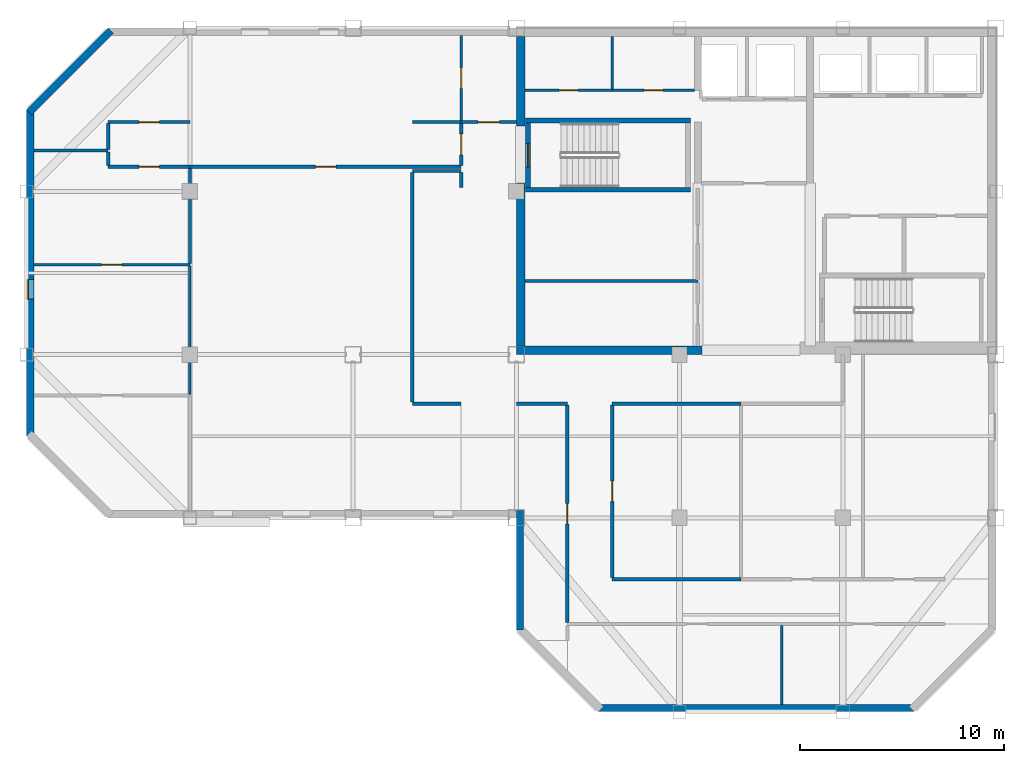
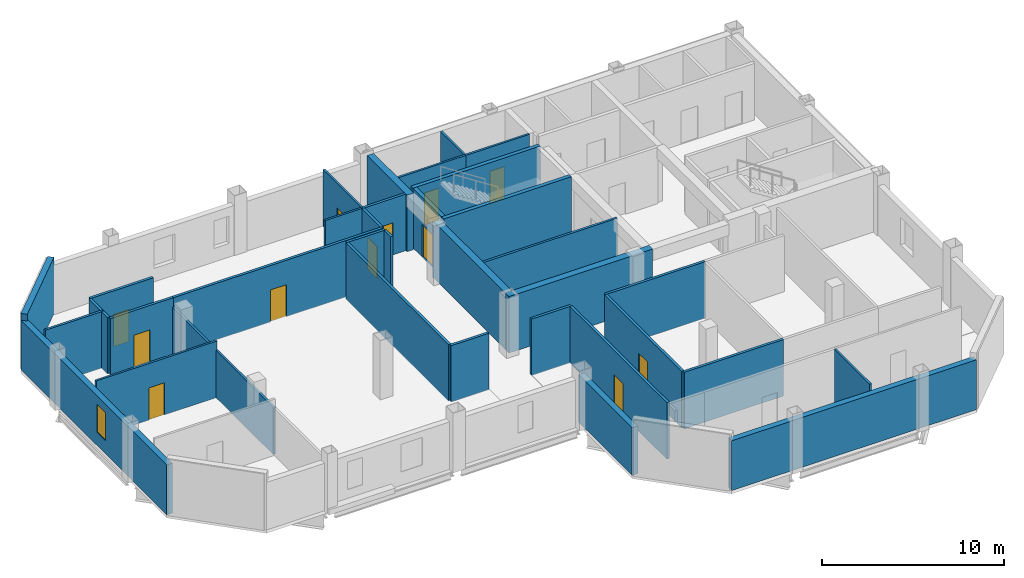
# One storey, part 2 of 7: 37 walls, 12 doors, 1 window, 13 openings.
"""IFC4 building model written with IfcOpenShell, lengths in metres."""

from ifc_helpers import new_model, si_unit, direction, frame, frame_2d, origin, place, context, subcontext, project, spatial, rectangle, extrude, material, layer, layer_set, type_object, element, fill, save


model = new_model("IFC4")

# Units and contexts
model_context = context("Model", 3, precision=1e-05, world=origin(), true_north=direction((0.0, 1.0)))
body_context = subcontext(model_context, "Body", "Model", "MODEL_VIEW")
ifc_project = project(units=[si_unit("LENGTHUNIT", "METRE"), si_unit("AREAUNIT", "SQUARE_METRE"), si_unit("VOLUMEUNIT", "CUBIC_METRE"), si_unit("PLANEANGLEUNIT", "RADIAN"), si_unit("MASSUNIT", "GRAM", prefix="KILO")], contexts=[model_context])

# Site, building, storey
site_placement = place(None, origin())
site = spatial("IfcSite", under=ifc_project, at=site_placement, CompositionType="ELEMENT")
building_placement = place(site_placement, origin())
building = spatial("IfcBuilding", under=site, at=building_placement, Name="Qianrong Seaharbour Tower", CompositionType="ELEMENT")
storey_placement = place(building_placement, frame((0.0, 0.0, 331.199951171875)))
storey = spatial("IfcBuildingStorey", under=building, at=storey_placement, Name="L80", CompositionType="ELEMENT", Elevation=331.199951171875)

# Walls
ifc_material_1 = material(Name="Concrete C50/60", Category="concrete")
ifc_layer_1 = layer(ifc_material_1, 0.419921875)
ifc_layer_set_1 = layer_set([ifc_layer_1], Name="Concrete C50/60")
wall_type_1 = type_object("IfcWallType", Name="WALL-CORE-420", PredefinedType="SHEAR", material=ifc_layer_set_1)
wall_1_placement = place(storey_placement, frame((40.7099609375, 36.419921875, 0.0), z_axis=(0.0, 0.0, 1.0), x_axis=(0.0, 1.0, 0.0)))
element("IfcWall", 1, at=wall_1_placement, inside=storey, type_object=wall_type_1, Name="L80 West Core Shear Wall South", PredefinedType="SHEAR", context=body_context, shape_type="SweptSolid", body=[
    extrude(rectangle(XDim=7.97998046875, YDim=0.419921875, at=frame_2d((3.989990234375, 0.0))), origin(), (0.0, 0.0, 1.0), 3.78515625),
])
wall_2_placement = place(storey_placement, frame((40.7099609375, 47.199951171875, 0.0), z_axis=(0.0, 0.0, 1.0), x_axis=(0.0, 1.0, 0.0)))
element("IfcWall", 2, at=wall_2_placement, inside=storey, type_object=wall_type_1, Name="L80 West Core Shear Wall North", PredefinedType="SHEAR", context=body_context, shape_type="SweptSolid", body=[
    extrude(rectangle(XDim=4.380126953125, YDim=0.419921875, at=frame_2d((2.18994140625, 0.0))), origin(), (0.0, 0.0, 1.0), 3.78515625),
])
wall_3_placement = place(storey_placement, frame((40.5, 36.2099609375, 0.0), z_axis=(0.0, 0.0, 1.0), x_axis=(1.0, 0.0, 0.0)))
element("IfcWall", 3, at=wall_3_placement, inside=storey, type_object=wall_type_1, Name="L80 South Core Shear Wall S1", PredefinedType="SHEAR", context=body_context, shape_type="SweptSolid", body=[
    extrude(rectangle(XDim=9.10009765625, YDim=0.419921875, at=frame_2d((4.550048828125, 0.0))), origin(), (0.0, 0.0, 1.0), 3.78515625),
])

# Wall, opening, door
ifc_material_2 = material(Name="Fire-rated acoustic gypsum board partition")
ifc_layer_2 = layer(ifc_material_2, 0.1650390625)
ifc_layer_set_2 = layer_set([ifc_layer_2], Name="Fire-rated acoustic gypsum board partition")
wall_type_2 = type_object("IfcWallType", Name="WALL-CORR-PART-165", PredefinedType="PARTITIONING", material=ifc_layer_set_2)
wall_4_placement = place(storey_placement, frame((37.800048828125, 47.39990234375, 0.0), z_axis=(0.0, 0.0, 1.0), x_axis=(1.0, 0.0, 0.0)))
wall_4 = element("IfcWall", 4, at=wall_4_placement, inside=storey, type_object=wall_type_2, Name="L80 Interior Partition Wall 001", PredefinedType="PARTITIONING", context=body_context, shape_type="SweptSolid", body=[
    extrude(rectangle(XDim=2.699951171875, YDim=0.1650390625, at=frame_2d((1.35009765625, 0.0))), origin(), (0.0, 0.0, 1.0), 3.78515625),
])
opening_1_placement = place(wall_4_placement, frame((0.824951171875, 0.0, 0.0)))
opening_1 = element("IfcOpeningElement", 5, at=opening_1_placement, cuts=wall_4, Name="Opening DC-01", PredefinedType="OPENING", context=body_context, shape_type="SweptSolid", body=[
    extrude(rectangle(XDim=1.050048828125, YDim=2.14990234375, at=frame_2d((0.52490234375, 1.074951171875))), frame((0.0, 0.092529296875, 0.0), z_axis=(0.0, -1.0, 0.0), x_axis=(1.0, 0.0, 0.0)), (0.0, 0.0, 1.0), 0.18505859375),
])
ifc_material_3 = material(Name="Acoustic timber and galvanized steel fire door assembly", Category="steel")
door_type_1 = type_object("IfcDoorType", Name="DOOR-CORR-FD60-1050x2150", OperationType="NOTDEFINED", PredefinedType="DOOR", material=ifc_material_3)
door_1_placement = place(opening_1_placement, origin())
door_1 = element("IfcDoor", 6, at=door_1_placement, inside=storey, type_object=door_type_1, Name="L80 Smokeproof Stair Vestibule ST-1 Door", OperationType="SINGLE_SWING_LEFT", OverallHeight=2.14990234375, OverallWidth=1.050048828125, PredefinedType="DOOR", context=body_context, shape_type="SweptSolid", body=[
    extrude(rectangle(XDim=1.050048828125, YDim=2.14990234375, at=frame_2d((0.52490234375, 1.074951171875))), frame((0.0, 0.02490234375, 0.0), z_axis=(0.0, -1.0, 0.0), x_axis=(1.0, 0.0, 0.0)), (0.0, 0.0, 1.0), 0.050048828125),
])
fill(opening_1, door_1)

wall_5_placement = place(storey_placement, frame((37.800048828125, 45.2744140625, 0.0), z_axis=(0.0, 0.0, 1.0), x_axis=(0.0, 1.0, 0.0)))
wall_5 = element("IfcWall", 7, at=wall_5_placement, inside=storey, type_object=wall_type_2, Name="L80 Interior Partition Wall 002", PredefinedType="PARTITIONING", context=body_context, shape_type="SweptSolid", body=[
    extrude(rectangle(XDim=2.051025390625, YDim=0.1650390625, at=frame_2d((1.025390625, 0.0))), origin(), (0.0, 0.0, 1.0), 3.78515625),
])
opening_2_placement = place(wall_5_placement, frame((0.50048828125, 0.0, 0.0)))
opening_2 = element("IfcOpeningElement", 8, at=opening_2_placement, cuts=wall_5, Name="Opening DC-01", PredefinedType="OPENING", context=body_context, shape_type="SweptSolid", body=[
    extrude(rectangle(XDim=1.050048828125, YDim=2.14990234375, at=frame_2d((0.52490234375, 1.074951171875))), frame((0.0, 0.092529296875, 0.0), z_axis=(0.0, -1.0, 0.0), x_axis=(1.0, 0.0, 0.0)), (0.0, 0.0, 1.0), 0.18505859375),
])
door_2_placement = place(opening_2_placement, origin())
door_2 = element("IfcDoor", 9, at=door_2_placement, inside=storey, type_object=door_type_1, Name="L80 Smokeproof Stair Vestibule ST-1 Door", OperationType="SINGLE_SWING_RIGHT", OverallHeight=2.14990234375, OverallWidth=1.050048828125, PredefinedType="DOOR", context=body_context, shape_type="SweptSolid", body=[
    extrude(rectangle(XDim=1.050048828125, YDim=2.14990234375, at=frame_2d((0.52490234375, 1.074951171875))), frame((0.0, 0.02490234375, 0.0), z_axis=(0.0, -1.0, 0.0), x_axis=(1.0, 0.0, 0.0)), (0.0, 0.0, 1.0), 0.050048828125),
])
fill(opening_2, door_2)

# Wall
wall_6_placement = place(storey_placement, frame((37.800048828125, 44.199951171875, 0.0), z_axis=(0.0, 0.0, 1.0), x_axis=(0.0, 1.0, 0.0)))
element("IfcWall", 10, at=wall_6_placement, inside=storey, type_object=wall_type_2, Name="L80 Interior Partition Wall 003", PredefinedType="PARTITIONING", context=body_context, shape_type="SweptSolid", body=[
    extrude(rectangle(XDim=0.7255859375, YDim=0.1650390625, at=frame_2d((0.36279296875, 0.0))), origin(), (0.0, 0.0, 1.0), 3.78515625),
])

# Wall, opening, door
wall_7_placement = place(storey_placement, frame((37.800048828125, 45.199951171875, 0.0), z_axis=(0.0, 0.0, 1.0), x_axis=(-1.0, 0.0, 0.0)))
wall_7 = element("IfcWall", 11, at=wall_7_placement, inside=storey, type_object=wall_type_2, Name="L80 Interior Partition Wall 017", PredefinedType="PARTITIONING", context=body_context, shape_type="SweptSolid", body=[
    extrude(rectangle(XDim=13.300048828125, YDim=0.1650390625, at=frame_2d((6.64990234375, 0.0))), origin(), (0.0, 0.0, 1.0), 3.78515625),
])
opening_3_placement = place(wall_7_placement, frame((6.14990234375, 0.0, 0.0)))
opening_3 = element("IfcOpeningElement", 12, at=opening_3_placement, cuts=wall_7, Name="Opening DO-01", PredefinedType="OPENING", context=body_context, shape_type="SweptSolid", body=[
    extrude(rectangle(XDim=1.0, YDim=2.14990234375, at=frame_2d((0.5, 1.074951171875))), frame((0.0, 0.092529296875, 0.0), z_axis=(0.0, -1.0, 0.0), x_axis=(1.0, 0.0, 0.0)), (0.0, 0.0, 1.0), 0.18505859375),
])
door_type_2 = type_object("IfcDoorType", Name="DOOR-OFFICE-1000x2150", OperationType="NOTDEFINED", PredefinedType="DOOR", material=ifc_material_3)
door_3_placement = place(opening_3_placement, origin())
door_3 = element("IfcDoor", 13, at=door_3_placement, inside=storey, type_object=door_type_2, Name="L80 Central Spine Open-Plan Office Door", OperationType="SINGLE_SWING_RIGHT", OverallHeight=2.14990234375, OverallWidth=1.0, PredefinedType="DOOR", context=body_context, shape_type="SweptSolid", body=[
    extrude(rectangle(XDim=1.0, YDim=2.14990234375, at=frame_2d((0.5, 1.074951171875))), frame((0.0, 0.02490234375, 0.0), z_axis=(0.0, -1.0, 0.0), x_axis=(1.0, 0.0, 0.0)), (0.0, 0.0, 1.0), 0.050048828125),
])
fill(opening_3, door_3)

wall_8_placement = place(storey_placement, frame((24.5, 45.199951171875, 0.0), z_axis=(0.0, 0.0, 1.0), x_axis=(-1.0, 0.0, 0.0)))
wall_8 = element("IfcWall", 14, at=wall_8_placement, inside=storey, type_object=wall_type_2, Name="L80 Interior Partition Wall 018", PredefinedType="PARTITIONING", context=body_context, shape_type="SweptSolid", body=[
    extrude(rectangle(XDim=4.0, YDim=0.1650390625, at=frame_2d((2.0, 0.0))), origin(), (0.0, 0.0, 1.0), 3.78515625),
])
opening_4_placement = place(wall_8_placement, frame((1.5, 0.0, 0.0)))
opening_4 = element("IfcOpeningElement", 15, at=opening_4_placement, cuts=wall_8, Name="Opening DO-01", PredefinedType="OPENING", context=body_context, shape_type="SweptSolid", body=[
    extrude(rectangle(XDim=1.0, YDim=2.14990234375, at=frame_2d((0.5, 1.074951171875))), frame((0.0, 0.092529296875, 0.0), z_axis=(0.0, -1.0, 0.0), x_axis=(1.0, 0.0, 0.0)), (0.0, 0.0, 1.0), 0.18505859375),
])
door_4_placement = place(opening_4_placement, origin())
door_4 = element("IfcDoor", 16, at=door_4_placement, inside=storey, type_object=door_type_2, Name="L80 Hospitality Dining Room 3 Door", OperationType="SINGLE_SWING_LEFT", OverallHeight=2.14990234375, OverallWidth=1.0, PredefinedType="DOOR", context=body_context, shape_type="SweptSolid", body=[
    extrude(rectangle(XDim=1.0, YDim=2.14990234375, at=frame_2d((0.5, 1.074951171875))), frame((0.0, 0.02490234375, 0.0), z_axis=(0.0, -1.0, 0.0), x_axis=(1.0, 0.0, 0.0)), (0.0, 0.0, 1.0), 0.050048828125),
])
fill(opening_4, door_4)

# Walls
wall_9_placement = place(storey_placement, frame((20.5, 45.2744140625, 0.0), z_axis=(0.0, 0.0, 1.0), x_axis=(0.0, 1.0, 0.0)))
element("IfcWall", 17, at=wall_9_placement, inside=storey, type_object=wall_type_2, Name="L80 Interior Partition Wall 019", PredefinedType="PARTITIONING", context=body_context, shape_type="SweptSolid", body=[
    extrude(rectangle(XDim=0.6611328125, YDim=0.1650390625, at=frame_2d((0.33056640625, 0.0))), origin(), (0.0, 0.0, 1.0), 3.78515625),
])
wall_10_placement = place(storey_placement, frame((20.5, 46.064453125, 0.0), z_axis=(0.0, 0.0, 1.0), x_axis=(0.0, 1.0, 0.0)))
element("IfcWall", 18, at=wall_10_placement, inside=storey, type_object=wall_type_2, Name="L80 Interior Partition Wall 020", PredefinedType="PARTITIONING", context=body_context, shape_type="SweptSolid", body=[
    extrude(rectangle(XDim=1.260986328125, YDim=0.1650390625, at=frame_2d((0.63037109375, 0.0))), origin(), (0.0, 0.0, 1.0), 3.78515625),
])

# Wall, opening, door
wall_11_placement = place(storey_placement, frame((20.5, 47.39990234375, 0.0), z_axis=(0.0, 0.0, 1.0), x_axis=(1.0, 0.0, 0.0)))
wall_11 = element("IfcWall", 19, at=wall_11_placement, inside=storey, type_object=wall_type_2, Name="L80 Interior Partition Wall 021", PredefinedType="PARTITIONING", context=body_context, shape_type="SweptSolid", body=[
    extrude(rectangle(XDim=4.0, YDim=0.1650390625, at=frame_2d((2.0, 0.0))), origin(), (0.0, 0.0, 1.0), 3.78515625),
])
opening_5_placement = place(wall_11_placement, frame((1.5, 0.0, 0.0)))
opening_5 = element("IfcOpeningElement", 20, at=opening_5_placement, cuts=wall_11, Name="Opening DO-01", PredefinedType="OPENING", context=body_context, shape_type="SweptSolid", body=[
    extrude(rectangle(XDim=1.0, YDim=2.14990234375, at=frame_2d((0.5, 1.074951171875))), frame((0.0, 0.092529296875, 0.0), z_axis=(0.0, -1.0, 0.0), x_axis=(1.0, 0.0, 0.0)), (0.0, 0.0, 1.0), 0.18505859375),
])
door_5_placement = place(opening_5_placement, origin())
door_5 = element("IfcDoor", 21, at=door_5_placement, inside=storey, type_object=door_type_2, Name="L80 Quiet Sitting Lounge 4 Door", OperationType="SINGLE_SWING_RIGHT", OverallHeight=2.14990234375, OverallWidth=1.0, PredefinedType="DOOR", context=body_context, shape_type="SweptSolid", body=[
    extrude(rectangle(XDim=1.0, YDim=2.14990234375, at=frame_2d((0.5, 1.074951171875))), frame((0.0, 0.02490234375, 0.0), z_axis=(0.0, -1.0, 0.0), x_axis=(1.0, 0.0, 0.0)), (0.0, 0.0, 1.0), 0.050048828125),
])
fill(opening_5, door_5)

# Walls
wall_12_placement = place(storey_placement, frame((37.800048828125, 33.60009765625, 0.0), z_axis=(0.0, 0.0, 1.0), x_axis=(-1.0, 0.0, 0.0)))
element("IfcWall", 22, at=wall_12_placement, inside=storey, type_object=wall_type_2, Name="L80 Interior Partition Wall 022", PredefinedType="PARTITIONING", context=body_context, shape_type="SweptSolid", body=[
    extrude(rectangle(XDim=2.400146484375, YDim=0.1650390625, at=frame_2d((1.2001953125, 0.0))), origin(), (0.0, 0.0, 1.0), 3.78515625),
])
wall_13_placement = place(storey_placement, frame((35.39990234375, 33.674560546875, 0.0), z_axis=(0.0, 0.0, 1.0), x_axis=(0.0, 1.0, 0.0)))
element("IfcWall", 23, at=wall_13_placement, inside=storey, type_object=wall_type_2, Name="L80 Interior Partition Wall 023", PredefinedType="PARTITIONING", context=body_context, shape_type="SweptSolid", body=[
    extrude(rectangle(XDim=11.2509765625, YDim=0.1650390625, at=frame_2d((5.62548828125, 0.0))), origin(), (0.0, 0.0, 1.0), 3.78515625),
])
wall_14_placement = place(storey_placement, frame((35.39990234375, 45.0, 0.0), z_axis=(0.0, 0.0, 1.0), x_axis=(1.0, 0.0, 0.0)))
element("IfcWall", 24, at=wall_14_placement, inside=storey, type_object=wall_type_2, Name="L80 Interior Partition Wall 024", PredefinedType="PARTITIONING", context=body_context, shape_type="SweptSolid", body=[
    extrude(rectangle(XDim=2.400146484375, YDim=0.1650390625, at=frame_2d((1.2001953125, 0.0))), origin(), (0.0, 0.0, 1.0), 3.78515625),
])
wall_15_placement = place(storey_placement, frame((51.5, 33.60009765625, 0.0), z_axis=(0.0, 0.0, 1.0), x_axis=(-1.0, 0.0, 0.0)))
element("IfcWall", 25, at=wall_15_placement, inside=storey, type_object=wall_type_2, Name="L80 Interior Partition Wall 025", PredefinedType="PARTITIONING", context=body_context, shape_type="SweptSolid", body=[
    extrude(rectangle(XDim=6.300048828125, YDim=0.1650390625, at=frame_2d((3.14990234375, 0.0))), origin(), (0.0, 0.0, 1.0), 3.78515625),
])
wall_16_placement = place(storey_placement, frame((43.0, 33.60009765625, 0.0), z_axis=(0.0, 0.0, 1.0), x_axis=(-1.0, 0.0, 0.0)))
element("IfcWall", 26, at=wall_16_placement, inside=storey, type_object=wall_type_2, Name="L80 Interior Partition Wall 028", PredefinedType="PARTITIONING", context=body_context, shape_type="SweptSolid", body=[
    extrude(rectangle(XDim=2.5, YDim=0.1650390625, at=frame_2d((1.25, 0.0))), origin(), (0.0, 0.0, 1.0), 3.78515625),
])

# Wall, opening, door
wall_17_placement = place(storey_placement, frame((45.199951171875, 33.525390625, 0.0), z_axis=(0.0, 0.0, 1.0), x_axis=(0.0, -1.0, 0.0)))
wall_17 = element("IfcWall", 27, at=wall_17_placement, inside=storey, type_object=wall_type_2, Name="L80 Interior Partition Wall 029", PredefinedType="PARTITIONING", context=body_context, shape_type="SweptSolid", body=[
    extrude(rectangle(XDim=8.450927734375, YDim=0.1650390625, at=frame_2d((4.2255859375, 0.0))), origin(), (0.0, 0.0, 1.0), 3.78515625),
])
opening_6_placement = place(wall_17_placement, frame((3.7255859375, 0.0, 0.0)))
opening_6 = element("IfcOpeningElement", 28, at=opening_6_placement, cuts=wall_17, Name="Opening DO-01", PredefinedType="OPENING", context=body_context, shape_type="SweptSolid", body=[
    extrude(rectangle(XDim=1.0, YDim=2.14990234375, at=frame_2d((0.5, 1.074951171875))), frame((0.0, 0.092529296875, 0.0), z_axis=(0.0, -1.0, 0.0), x_axis=(1.0, 0.0, 0.0)), (0.0, 0.0, 1.0), 0.18505859375),
])
door_6_placement = place(opening_6_placement, origin())
door_6 = element("IfcDoor", 29, at=door_6_placement, inside=storey, type_object=door_type_2, Name="L80 East Harbour Dining Salon 1 Door", OperationType="SINGLE_SWING_LEFT", OverallHeight=2.14990234375, OverallWidth=1.0, PredefinedType="DOOR", context=body_context, shape_type="SweptSolid", body=[
    extrude(rectangle(XDim=1.0, YDim=2.14990234375, at=frame_2d((0.5, 1.074951171875))), frame((0.0, 0.02490234375, 0.0), z_axis=(0.0, -1.0, 0.0), x_axis=(1.0, 0.0, 0.0)), (0.0, 0.0, 1.0), 0.050048828125),
])
fill(opening_6, door_6)

wall_18_placement = place(storey_placement, frame((43.0, 22.87451171875, 0.0), z_axis=(0.0, 0.0, 1.0), x_axis=(0.0, 1.0, 0.0)))
wall_18 = element("IfcWall", 30, at=wall_18_placement, inside=storey, type_object=wall_type_2, Name="L80 Interior Partition Wall 030", PredefinedType="PARTITIONING", context=body_context, shape_type="SweptSolid", body=[
    extrude(rectangle(XDim=10.65087890625, YDim=0.1650390625, at=frame_2d((5.325439453125, 0.0))), origin(), (0.0, 0.0, 1.0), 3.78515625),
])
opening_7_placement = place(wall_18_placement, frame((4.825439453125, 0.0, 0.0)))
opening_7 = element("IfcOpeningElement", 31, at=opening_7_placement, cuts=wall_18, Name="Opening DO-01", PredefinedType="OPENING", context=body_context, shape_type="SweptSolid", body=[
    extrude(rectangle(XDim=1.0, YDim=2.14990234375, at=frame_2d((0.5, 1.074951171875))), frame((0.0, 0.092529296875, 0.0), z_axis=(0.0, -1.0, 0.0), x_axis=(1.0, 0.0, 0.0)), (0.0, 0.0, 1.0), 0.18505859375),
])
door_7_placement = place(opening_7_placement, origin())
door_7 = element("IfcDoor", 32, at=door_7_placement, inside=storey, type_object=door_type_2, Name="L80 Concierge Office 2 Door", OperationType="SINGLE_SWING_RIGHT", OverallHeight=2.14990234375, OverallWidth=1.0, PredefinedType="DOOR", context=body_context, shape_type="SweptSolid", body=[
    extrude(rectangle(XDim=1.0, YDim=2.14990234375, at=frame_2d((0.5, 1.074951171875))), frame((0.0, 0.02490234375, 0.0), z_axis=(0.0, -1.0, 0.0), x_axis=(1.0, 0.0, 0.0)), (0.0, 0.0, 1.0), 0.050048828125),
])
fill(opening_7, door_7)

# Walls
wall_19_placement = place(storey_placement, frame((45.199951171875, 25.0, 0.0), z_axis=(0.0, 0.0, 1.0), x_axis=(1.0, 0.0, 0.0)))
element("IfcWall", 33, at=wall_19_placement, inside=storey, type_object=wall_type_2, Name="L80 Interior Partition Wall 032", PredefinedType="PARTITIONING", context=body_context, shape_type="SweptSolid", body=[
    extrude(rectangle(XDim=6.300048828125, YDim=0.1650390625, at=frame_2d((3.14990234375, 0.0))), origin(), (0.0, 0.0, 1.0), 3.78515625),
])
ifc_material_4 = material(Name="Unitised red brick on Precast concrete C45/55", Category="masonry")
ifc_layer_3 = layer(ifc_material_4, 0.360107421875)
ifc_layer_set_3 = layer_set([ifc_layer_3], Name="Unitised red brick on Precast concrete C45/55")
wall_type_3 = type_object("IfcWallType", Name="WALL-EXT-BRICK-RED-360", PredefinedType="SOLIDWALL", material=ifc_layer_set_3)
wall_20_placement = place(storey_placement, frame((40.679931640625, 22.5, 0.0), z_axis=(0.0, 0.0, 1.0), x_axis=(0.0, 1.0, 0.0)))
element("IfcWall", 34, at=wall_20_placement, inside=storey, type_object=wall_type_3, Name="L80 Exterior Masonry Facade Wall REENTRANT_WEST", PredefinedType="SOLIDWALL", context=body_context, shape_type="SweptSolid", body=[
    extrude(rectangle(XDim=5.860107421875, YDim=0.360107421875, at=frame_2d((2.93017578125, 0.0))), origin(), (0.0, 0.0, 1.0), 3.18505859375),
])

# Wall, opening, window
wall_21_placement = place(storey_placement, frame((16.679931640625, 32.0, 0.0), z_axis=(0.0, 0.0, 1.0), x_axis=(0.0, 1.0, 0.0)))
wall_21 = element("IfcWall", 35, at=wall_21_placement, inside=storey, type_object=wall_type_3, Name="L80 Exterior Masonry Facade Wall WEST_TIP", PredefinedType="SOLIDWALL", context=body_context, shape_type="SweptSolid", body=[
    extrude(rectangle(XDim=16.0, YDim=0.360107421875, at=frame_2d((8.0, 0.0))), origin(), (0.0, 0.0, 1.0), 3.3349609375),
])
opening_8_placement = place(wall_21_placement, frame((6.72509765625, 0.0, 0.89990234375)))
opening_8 = element("IfcOpeningElement", 36, at=opening_8_placement, cuts=wall_21, Name="Opening WN-13", PredefinedType="OPENING", context=body_context, shape_type="SweptSolid", body=[
    extrude(rectangle(XDim=0.949951171875, YDim=1.85009765625, at=frame_2d((0.47509765625, 0.925048828125))), frame((0.0, 0.18994140625, 0.0), z_axis=(0.0, -1.0, 0.0), x_axis=(1.0, 0.0, 0.0)), (0.0, 0.0, 1.0), 0.380126953125),
])
ifc_material_5 = material(Name="Insulated low-e double glazing in thermally broken aluminium 6063-T6 frame", Category="aluminium")
window_type = type_object("IfcWindowType", Name="WIN-NARROW-950x1850", PartitioningType="SINGLE_PANEL", PredefinedType="WINDOW", material=ifc_material_5)
window_placement = place(opening_8_placement, origin())
window = element("IfcWindow", 37, at=window_placement, inside=storey, type_object=window_type, Name="L80 Deep-Set Punched Window 03.02", OverallHeight=1.85009765625, OverallWidth=0.949951171875, PartitioningType="SINGLE_PANEL", PredefinedType="WINDOW", context=body_context, shape_type="SweptSolid", body=[
    extrude(rectangle(XDim=0.949951171875, YDim=1.85009765625, at=frame_2d((0.47509765625, 0.925048828125))), frame((0.0, 0.150146484375, 0.0), z_axis=(0.0, -1.0, 0.0), x_axis=(1.0, 0.0, 0.0)), (0.0, 0.0, 1.0), 0.06005859375),
])
fill(opening_8, window)

# Walls
wall_22_placement = place(storey_placement, frame((16.627197265625, 47.872802734375, 0.0), z_axis=(0.0, 0.0, 1.0), x_axis=(0.707106781187, 0.707106781187, 0.0)))
element("IfcWall", 38, at=wall_22_placement, inside=storey, type_object=wall_type_3, Name="L80 Exterior Masonry Facade Wall E04", PredefinedType="SOLIDWALL", context=body_context, shape_type="SweptSolid", body=[
    extrude(rectangle(XDim=5.65673828125, YDim=0.360107421875, at=frame_2d((2.828369140625, 0.0))), origin(), (0.0, 0.0, 1.0), 3.78515625),
])
wall_23_placement = place(storey_placement, frame((60.0, 18.679931640625, 0.0), z_axis=(0.0, 0.0, 1.0), x_axis=(-1.0, 0.0, 0.0)))
element("IfcWall", 39, at=wall_23_placement, inside=storey, type_object=wall_type_3, Name="L80 Exterior Masonry Facade Wall SOUTH_TIP", PredefinedType="SOLIDWALL", context=body_context, shape_type="SweptSolid", body=[
    extrude(rectangle(XDim=15.5, YDim=0.360107421875, at=frame_2d((7.75, 0.0))), origin(), (0.0, 0.0, 1.0), 3.3349609375),
])
ifc_material_6 = material(Name="Acoustic gypsum board stud partition")
ifc_layer_4 = layer(ifc_material_6, 0.14501953125)
ifc_layer_set_4 = layer_set([ifc_layer_4], Name="Acoustic gypsum board stud partition")
wall_type_4 = type_object("IfcWallType", Name="WALL-OFFICE-PART-145", PredefinedType="PARTITIONING", material=ifc_layer_set_4)
wall_24_placement = place(storey_placement, frame((40.919921875, 39.60009765625, 0.0), z_axis=(0.0, 0.0, 1.0), x_axis=(1.0, 0.0, 0.0)))
element("IfcWall", 40, at=wall_24_placement, inside=storey, type_object=wall_type_4, Name="L80 Interior Partition Wall 012", PredefinedType="PARTITIONING", context=body_context, shape_type="SweptSolid", body=[
    extrude(rectangle(XDim=8.47998046875, YDim=0.14501953125, at=frame_2d((4.239990234375, 0.0))), origin(), (0.0, 0.0, 1.0), 3.78515625),
])
wall_25_placement = place(storey_placement, frame((24.5, 40.45703125, 0.0), z_axis=(0.0, 0.0, 1.0), x_axis=(0.0, 1.0, 0.0)))
element("IfcWall", 41, at=wall_25_placement, inside=storey, type_object=wall_type_4, Name="L80 Interior Partition Wall 039", PredefinedType="PARTITIONING", context=body_context, shape_type="SweptSolid", body=[
    extrude(rectangle(XDim=4.66845703125, YDim=0.14501953125, at=frame_2d((2.334228515625, 0.0))), origin(), (0.0, 0.0, 1.0), 3.177001953125),
])
wall_26_placement = place(storey_placement, frame((16.85205078125, 46.0, 0.0), z_axis=(0.0, 0.0, 1.0), x_axis=(1.0, 0.0, 0.0)))
element("IfcWall", 42, at=wall_26_placement, inside=storey, type_object=wall_type_4, Name="L80 Interior Partition Wall 042", PredefinedType="PARTITIONING", context=body_context, shape_type="SweptSolid", body=[
    extrude(rectangle(XDim=3.64794921875, YDim=0.14501953125, at=frame_2d((1.823974609375, 0.0))), origin(), (0.0, 0.0, 1.0), 3.78515625),
])
ifc_layer_5 = layer(ifc_material_1, 0.239990234375)
ifc_layer_set_5 = layer_set([ifc_layer_5], Name="Concrete C50/60")
wall_type_5 = type_object("IfcWallType", Name="WALL-SHAFT-RC240", PredefinedType="SOLIDWALL", material=ifc_layer_set_5)
for number, where, z_axis, x_axis, name in (
    (43, (40.9599609375, 47.469970703125, 0.0), (0.0, 0.0, 1.0), (1.0, 0.0, 0.0), "L80 ST-1 Structural Stair Core Wall N"),
    (44, (49.0400390625, 44.080078125, 0.0), (0.0, 0.0, 1.0), (-1.0, 0.0, 0.0), "L80 ST-1 Structural Stair Core Wall S"),
):
    element("IfcWall", number, at=place(storey_placement, frame(where, z_axis=z_axis, x_axis=x_axis)), inside=storey, type_object=wall_type_5, Name=name, PredefinedType="SOLIDWALL", context=body_context, shape_type="SweptSolid", body=[
        extrude(rectangle(XDim=8.080078125, YDim=0.239990234375, at=frame_2d((4.0400390625, 0.0))), origin(), (0.0, 0.0, 1.0), 4.0),
    ])

# Wall, opening, door
wall_27_placement = place(storey_placement, frame((41.080078125, 47.35009765625, 0.0), z_axis=(0.0, 0.0, 1.0), x_axis=(0.0, -1.0, 0.0)))
wall_27 = element("IfcWall", 45, at=wall_27_placement, inside=storey, type_object=wall_type_5, Name="L80 ST-1 Structural Stair Core Wall W", PredefinedType="SOLIDWALL", context=body_context, shape_type="SweptSolid", body=[
    extrude(rectangle(XDim=3.150146484375, YDim=0.239990234375, at=frame_2d((1.5751953125, 0.0))), origin(), (0.0, 0.0, 1.0), 4.0),
])
opening_9_placement = place(wall_27_placement, frame((1.0, 0.0, 0.0)))
opening_9 = element("IfcOpeningElement", 46, at=opening_9_placement, cuts=wall_27, Name="Opening SD-01", PredefinedType="OPENING", context=body_context, shape_type="SweptSolid", body=[
    extrude(rectangle(XDim=1.14990234375, YDim=2.199951171875, at=frame_2d((0.574951171875, 1.10009765625))), frame((0.0, 0.1298828125, 0.0), z_axis=(0.0, -1.0, 0.0), x_axis=(1.0, 0.0, 0.0)), (0.0, 0.0, 1.0), 0.260009765625),
])
door_type_3 = type_object("IfcDoorType", Name="DOOR-STAIR-FD60-1150x2200", OperationType="NOTDEFINED", PredefinedType="DOOR", material=ifc_material_3)
door_8_placement = place(opening_9_placement, origin())
door_8 = element("IfcDoor", 47, at=door_8_placement, inside=storey, type_object=door_type_3, Name="L80 ST-1 Protected Stair Door", OperationType="SINGLE_SWING_LEFT", OverallHeight=2.199951171875, OverallWidth=1.14990234375, PredefinedType="DOOR", context=body_context, shape_type="SweptSolid", body=[
    extrude(rectangle(XDim=1.14990234375, YDim=2.199951171875, at=frame_2d((0.574951171875, 1.10009765625))), frame((0.0, 0.02490234375, 0.0), z_axis=(0.0, -1.0, 0.0), x_axis=(1.0, 0.0, 0.0)), (0.0, 0.0, 1.0), 0.050048828125),
])
fill(opening_9, door_8)

ifc_material_7 = material(Name="Water-resistant cement board sanitary partition")
ifc_layer_6 = layer(ifc_material_7, 0.1298828125)
ifc_layer_set_6 = layer_set([ifc_layer_6], Name="Water-resistant cement board sanitary partition")
wall_type_6 = type_object("IfcWallType", Name="WALL-WET-PART-130", PredefinedType="PARTITIONING", material=ifc_layer_set_6)
wall_28_placement = place(storey_placement, frame((37.800048828125, 47.474609375, 0.0), z_axis=(0.0, 0.0, 1.0), x_axis=(0.0, 1.0, 0.0)))
wall_28 = element("IfcWall", 48, at=wall_28_placement, inside=storey, type_object=wall_type_6, Name="L80 Interior Partition Wall 004", PredefinedType="PARTITIONING", context=body_context, shape_type="SweptSolid", body=[
    extrude(rectangle(XDim=4.17333984375, YDim=0.1298828125, at=frame_2d((2.086669921875, 0.0))), origin(), (0.0, 0.0, 1.0), 3.78515625),
])
opening_10_placement = place(wall_28_placement, frame((1.57666015625, 0.0, 0.0)))
opening_10 = element("IfcOpeningElement", 49, at=opening_10_placement, cuts=wall_28, Name="Opening DAW-01", PredefinedType="OPENING", context=body_context, shape_type="SweptSolid", body=[
    extrude(rectangle(XDim=1.02001953125, YDim=2.14990234375, at=frame_2d((0.510009765625, 1.074951171875))), frame((0.0, 0.074951171875, 0.0), z_axis=(0.0, -1.0, 0.0), x_axis=(1.0, 0.0, 0.0)), (0.0, 0.0, 1.0), 0.14990234375),
])
door_type_4 = type_object("IfcDoorType", Name="DOOR-AWC-SLIDE-1020x2150", OperationType="SLIDING_TO_LEFT", PredefinedType="DOOR", material=ifc_material_3)
door_9_placement = place(opening_10_placement, origin())
door_9 = element("IfcDoor", 50, at=door_9_placement, inside=storey, type_object=door_type_4, Name="L80 Accessible Restroom WC Door", OperationType="SLIDING_TO_LEFT", OverallHeight=2.14990234375, OverallWidth=1.02001953125, PredefinedType="DOOR", context=body_context, shape_type="SweptSolid", body=[
    extrude(rectangle(XDim=1.02001953125, YDim=2.14990234375, at=frame_2d((0.510009765625, 1.074951171875))), frame((0.0, 0.02490234375, 0.0), z_axis=(0.0, -1.0, 0.0), x_axis=(1.0, 0.0, 0.0)), (0.0, 0.0, 1.0), 0.050048828125),
])
fill(opening_10, door_9)

# Wall
wall_29_placement = place(storey_placement, frame((37.800048828125, 47.39990234375, 0.0), z_axis=(0.0, 0.0, 1.0), x_axis=(-1.0, 0.0, 0.0)))
element("IfcWall", 51, at=wall_29_placement, inside=storey, type_object=wall_type_6, Name="L80 Interior Partition Wall 005", PredefinedType="PARTITIONING", context=body_context, shape_type="SweptSolid", body=[
    extrude(rectangle(XDim=2.400146484375, YDim=0.1298828125, at=frame_2d((1.2001953125, 0.0))), origin(), (0.0, 0.0, 1.0), 3.78515625),
])

# Wall, opening, door
wall_30_placement = place(storey_placement, frame((40.919921875, 48.949951171875, 0.0), z_axis=(0.0, 0.0, 1.0), x_axis=(1.0, 0.0, 0.0)))
wall_30 = element("IfcWall", 52, at=wall_30_placement, inside=storey, type_object=wall_type_6, Name="L80 Interior Partition Wall 006", PredefinedType="PARTITIONING", context=body_context, shape_type="SweptSolid", body=[
    extrude(rectangle(XDim=4.280029296875, YDim=0.1298828125, at=frame_2d((2.14013671875, 0.0))), origin(), (0.0, 0.0, 1.0), 3.78515625),
])
opening_11_placement = place(wall_30_placement, frame((1.679931640625, 0.0, 0.0)))
opening_11 = element("IfcOpeningElement", 53, at=opening_11_placement, cuts=wall_30, Name="Opening DW-01", PredefinedType="OPENING", context=body_context, shape_type="SweptSolid", body=[
    extrude(rectangle(XDim=0.919921875, YDim=2.14990234375, at=frame_2d((0.4599609375, 1.074951171875))), frame((0.0, 0.074951171875, 0.0), z_axis=(0.0, -1.0, 0.0), x_axis=(1.0, 0.0, 0.0)), (0.0, 0.0, 1.0), 0.14990234375),
])
door_type_5 = type_object("IfcDoorType", Name="DOOR-WC-920x2150", OperationType="NOTDEFINED", PredefinedType="DOOR", material=ifc_material_3)
door_10_placement = place(opening_11_placement, origin())
door_10 = element("IfcDoor", 54, at=door_10_placement, inside=storey, type_object=door_type_5, Name="L80 Male Restroom WC Door", OperationType="SINGLE_SWING_LEFT", OverallHeight=2.14990234375, OverallWidth=0.919921875, PredefinedType="DOOR", context=body_context, shape_type="SweptSolid", body=[
    extrude(rectangle(XDim=0.919921875, YDim=2.14990234375, at=frame_2d((0.4599609375, 1.074951171875))), frame((0.0, 0.02490234375, 0.0), z_axis=(0.0, -1.0, 0.0), x_axis=(1.0, 0.0, 0.0)), (0.0, 0.0, 1.0), 0.050048828125),
])
fill(opening_11, door_10)

wall_31_placement = place(storey_placement, frame((45.199951171875, 48.949951171875, 0.0), z_axis=(0.0, 0.0, 1.0), x_axis=(1.0, 0.0, 0.0)))
wall_31 = element("IfcWall", 55, at=wall_31_placement, inside=storey, type_object=wall_type_6, Name="L80 Interior Partition Wall 007", PredefinedType="PARTITIONING", context=body_context, shape_type="SweptSolid", body=[
    extrude(rectangle(XDim=4.032958984375, YDim=0.1298828125, at=frame_2d((2.0166015625, 0.0))), origin(), (0.0, 0.0, 1.0), 3.78515625),
])
opening_12_placement = place(wall_31_placement, frame((1.556396484375, 0.0, 0.0)))
opening_12 = element("IfcOpeningElement", 56, at=opening_12_placement, cuts=wall_31, Name="Opening DW-01", PredefinedType="OPENING", context=body_context, shape_type="SweptSolid", body=[
    extrude(rectangle(XDim=0.919921875, YDim=2.14990234375, at=frame_2d((0.4599609375, 1.074951171875))), frame((0.0, 0.074951171875, 0.0), z_axis=(0.0, -1.0, 0.0), x_axis=(1.0, 0.0, 0.0)), (0.0, 0.0, 1.0), 0.14990234375),
])
door_11_placement = place(opening_12_placement, origin())
door_11 = element("IfcDoor", 57, at=door_11_placement, inside=storey, type_object=door_type_5, Name="L80 Female Restroom WC Door", OperationType="SINGLE_SWING_RIGHT", OverallHeight=2.14990234375, OverallWidth=0.919921875, PredefinedType="DOOR", context=body_context, shape_type="SweptSolid", body=[
    extrude(rectangle(XDim=0.919921875, YDim=2.14990234375, at=frame_2d((0.4599609375, 1.074951171875))), frame((0.0, 0.02490234375, 0.0), z_axis=(0.0, -1.0, 0.0), x_axis=(1.0, 0.0, 0.0)), (0.0, 0.0, 1.0), 0.050048828125),
])
fill(opening_12, door_11)

# Walls
wall_32_placement = place(storey_placement, frame((45.199951171875, 51.580078125, 0.0), z_axis=(0.0, 0.0, 1.0), x_axis=(0.0, -1.0, 0.0)))
element("IfcWall", 58, at=wall_32_placement, inside=storey, type_object=wall_type_6, Name="L80 Interior Partition Wall 015", PredefinedType="PARTITIONING", context=body_context, shape_type="SweptSolid", body=[
    extrude(rectangle(XDim=2.572998046875, YDim=0.1298828125, at=frame_2d((1.28662109375, 0.0))), origin(), (0.0, 0.0, 1.0), 3.78515625),
])
wall_33_placement = place(storey_placement, frame((24.5, 34.056884765625, 0.0), z_axis=(0.0, 0.0, 1.0), x_axis=(0.0, 1.0, 0.0)))
element("IfcWall", 59, at=wall_33_placement, inside=storey, type_object=wall_type_6, Name="L80 Interior Partition Wall 038", PredefinedType="PARTITIONING", context=body_context, shape_type="SweptSolid", body=[
    extrude(rectangle(XDim=6.2861328125, YDim=0.1298828125, at=frame_2d((3.14306640625, 0.0))), origin(), (0.0, 0.0, 1.0), 3.177001953125),
])

# Wall, opening, door
wall_34_placement = place(storey_placement, frame((16.85205078125, 40.39990234375, 0.0), z_axis=(0.0, 0.0, 1.0), x_axis=(1.0, 0.0, 0.0)))
wall_34 = element("IfcWall", 60, at=wall_34_placement, inside=storey, type_object=wall_type_6, Name="L80 Interior Partition Wall 041", PredefinedType="PARTITIONING", context=body_context, shape_type="SweptSolid", body=[
    extrude(rectangle(XDim=7.64794921875, YDim=0.1298828125, at=frame_2d((3.823974609375, 0.0))), origin(), (0.0, 0.0, 1.0), 3.78515625),
])
opening_13_placement = place(wall_34_placement, frame((3.323974609375, 0.0, 0.0)))
opening_13 = element("IfcOpeningElement", 61, at=opening_13_placement, cuts=wall_34, Name="Opening DO-01", PredefinedType="OPENING", context=body_context, shape_type="SweptSolid", body=[
    extrude(rectangle(XDim=1.0, YDim=2.14990234375, at=frame_2d((0.5, 1.074951171875))), frame((0.0, 0.074951171875, 0.0), z_axis=(0.0, -1.0, 0.0), x_axis=(1.0, 0.0, 0.0)), (0.0, 0.0, 1.0), 0.14990234375),
])
door_12_placement = place(opening_13_placement, origin())
door_12 = element("IfcDoor", 62, at=door_12_placement, inside=storey, type_object=door_type_2, Name="L80 Barista Coffee Pantry 2 Door", OperationType="SINGLE_SWING_RIGHT", OverallHeight=2.14990234375, OverallWidth=1.0, PredefinedType="DOOR", context=body_context, shape_type="SweptSolid", body=[
    extrude(rectangle(XDim=1.0, YDim=2.14990234375, at=frame_2d((0.5, 1.074951171875))), frame((0.0, 0.02490234375, 0.0), z_axis=(0.0, -1.0, 0.0), x_axis=(1.0, 0.0, 0.0)), (0.0, 0.0, 1.0), 0.050048828125),
])
fill(opening_13, door_12)

# Wall
wall_35_placement = place(storey_placement, frame((53.5, 22.7255859375, 0.0), z_axis=(0.0, 0.0, 1.0), x_axis=(0.0, -1.0, 0.0)))
element("IfcWall", 63, at=wall_35_placement, inside=storey, type_object=wall_type_6, Name="L80 Interior Partition Wall 046", PredefinedType="PARTITIONING", context=body_context, shape_type="SweptSolid", body=[
    extrude(rectangle(XDim=3.87353515625, YDim=0.1298828125, at=frame_2d((1.936767578125, 0.0))), origin(), (0.0, 0.0, 1.0), 3.78515625),
])

save(model, "model.ifc")
